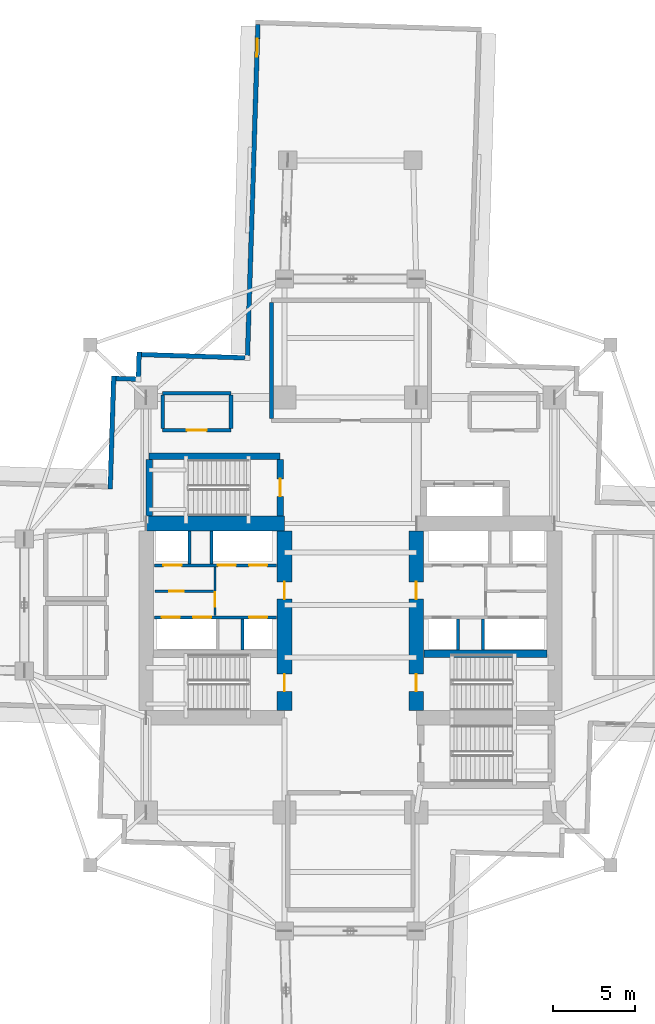
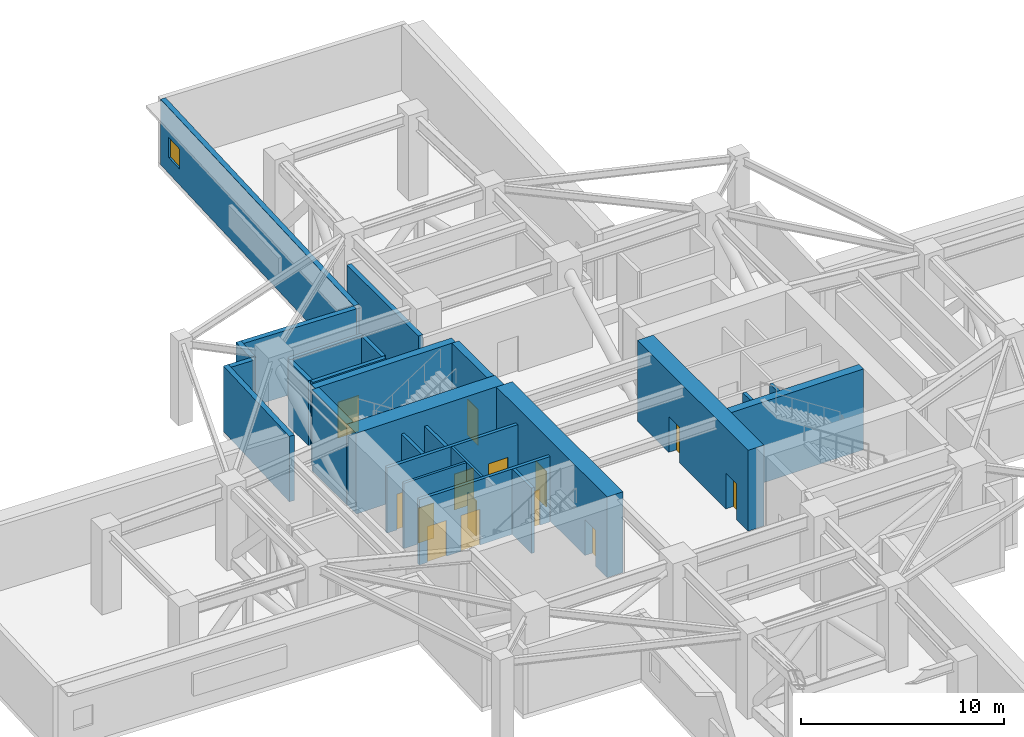
# One storey, part 10 of 17: 26 walls, 14 doors, 1 window, 15 openings.
"""IFC4 building model written with IfcOpenShell, lengths in metres."""

from ifc_helpers import new_model, si_unit, direction, frame, frame_2d, origin, place, context, subcontext, project, spatial, rectangle, extrude, material, layer, layer_set, type_object, element, fill, save


model = new_model("IFC4")

# Units and contexts
model_context = context("Model", 3, precision=1e-05, world=origin(), true_north=direction((0.0, 1.0)))
body_context = subcontext(model_context, "Body", "Model", "MODEL_VIEW")
ifc_project = project(units=[si_unit("LENGTHUNIT", "METRE"), si_unit("AREAUNIT", "SQUARE_METRE"), si_unit("VOLUMEUNIT", "CUBIC_METRE"), si_unit("PLANEANGLEUNIT", "RADIAN"), si_unit("MASSUNIT", "GRAM", prefix="KILO")], contexts=[model_context])

# Site, building, storey
site_placement = place(None, origin())
site = spatial("IfcSite", under=ifc_project, at=site_placement, CompositionType="ELEMENT")
building_placement = place(site_placement, origin())
building = spatial("IfcBuilding", under=site, at=building_placement, Name="Qingluan Cross Belvedere", CompositionType="ELEMENT")
storey_placement = place(building_placement, frame((0.0, 0.0, 95.10009765625)))
storey = spatial("IfcBuildingStorey", under=building, at=storey_placement, Name="L24", CompositionType="ELEMENT", Elevation=95.10009765625)

# Walls
ifc_material_1 = material(Name="Concrete C50", Category="concrete")
ifc_layer_1 = layer(ifc_material_1, 0.449951171875, Name="CoreShearWall_450")
ifc_layer_set_1 = layer_set([ifc_layer_1], Name="Concrete C50")
wall_type_1 = type_object("IfcWallType", Name="CoreShearWall_450", PredefinedType="SHEAR", material=ifc_layer_set_1)
wall_1_placement = place(storey_placement, frame((4.455078125, -2.9599609375, 0.0), z_axis=(0.0, 0.0, 1.0), x_axis=(1.0, 0.0, 0.0)))
element("IfcWall", 1, at=wall_1_placement, inside=storey, type_object=wall_type_1, Name="Split core E shear wall L24-M", PredefinedType="SHEAR", context=body_context, shape_type="SweptSolid", body=[
    extrude(rectangle(XDim=7.489990234375, YDim=0.449951171875, at=frame_2d((3.7451171875, 0.0))), origin(), (0.0, 0.0, 1.0), 4.849853515625),
])
wall_2_placement = place(storey_placement, frame((-12.219970703125, 9.0400390625, 0.0), z_axis=(0.0, 0.0, 1.0), x_axis=(1.0, 0.0, 0.0)))
element("IfcWall", 2, at=wall_2_placement, inside=storey, type_object=wall_type_1, Name="Stair ST3 structural wall N L24", PredefinedType="SHEAR", context=body_context, shape_type="SweptSolid", body=[
    extrude(rectangle(XDim=7.9599609375, YDim=0.39990234375, at=frame_2d((3.97998046875, 0.0))), origin(), (0.0, 0.0, 1.0), 4.849853515625),
])
wall_3_placement = place(storey_placement, frame((-12.219970703125, 5.405029296875, 0.0), z_axis=(0.0, 0.0, 1.0), x_axis=(0.0, 1.0, 0.0)))
element("IfcWall", 3, at=wall_3_placement, inside=storey, type_object=wall_type_1, Name="Stair ST3 structural wall W L24", PredefinedType="SHEAR", context=body_context, shape_type="SweptSolid", body=[
    extrude(rectangle(XDim=3.429931640625, YDim=0.39990234375, at=frame_2d((1.71484375, 0.0))), origin(), (0.0, 0.0, 1.0), 4.849853515625),
])

# Wall, opening, door
wall_4_placement = place(storey_placement, frame((-4.260009765625, 5.405029296875, 0.0), z_axis=(0.0, 0.0, 1.0), x_axis=(0.0, 1.0, 0.0)))
wall_4 = element("IfcWall", 4, at=wall_4_placement, inside=storey, type_object=wall_type_1, Name="Stair ST3 structural wall E L24", PredefinedType="SHEAR", context=body_context, shape_type="SweptSolid", body=[
    extrude(rectangle(XDim=3.429931640625, YDim=0.39990234375, at=frame_2d((1.71484375, 0.0))), origin(), (0.0, 0.0, 1.0), 4.849853515625),
])
opening_1_placement = place(wall_4_placement, frame((1.195068359375, 0.0, 0.0)))
opening_1 = element("IfcOpeningElement", 5, at=opening_1_placement, cuts=wall_4, Name="Opening FD-B11", PredefinedType="OPENING", context=body_context, shape_type="SweptSolid", body=[
    extrude(rectangle(XDim=1.050048828125, YDim=2.14990234375, at=frame_2d((0.52490234375, 1.074951171875))), frame((0.0, 0.2099609375, 0.0), z_axis=(0.0, -1.0, 0.0), x_axis=(1.0, 0.0, 0.0)), (0.0, 0.0, 1.0), 0.419921875),
])
ifc_material_2 = material(Name="Steel Class B smoke-seal fire door", Category="steel")
door_type_1 = type_object("IfcDoorType", Name="StairLobbyFireDoor_FDB", OperationType="NOTDEFINED", PredefinedType="DOOR", material=ifc_material_2)
door_1_placement = place(opening_1_placement, origin())
door_1 = element("IfcDoor", 6, at=door_1_placement, inside=storey, type_object=door_type_1, Name="Smoke-proof stair ST3 fire door L24", OperationType="SINGLE_SWING_RIGHT", OverallHeight=2.14990234375, OverallWidth=1.050048828125, PredefinedType="DOOR", context=body_context, shape_type="SweptSolid", body=[
    extrude(rectangle(XDim=1.050048828125, YDim=2.14990234375, at=frame_2d((0.52490234375, 1.074951171875))), frame((0.0, 0.02490234375, 0.0), z_axis=(0.0, -1.0, 0.0), x_axis=(1.0, 0.0, 0.0)), (0.0, 0.0, 1.0), 0.050048828125),
])
fill(opening_1, door_1)

# Wall
ifc_material_3 = material(Name="Concrete C70", Category="concrete")
ifc_layer_2 = layer(ifc_material_3, 0.89990234375, Name="CoreShearWall_900")
ifc_layer_set_2 = layer_set([ifc_layer_2], Name="Concrete C70")
wall_type_2 = type_object("IfcWallType", Name="CoreShearWall_900", PredefinedType="SHEAR", material=ifc_layer_set_2)
wall_5_placement = place(storey_placement, frame((-12.39990234375, 4.949951171875, 0.0), z_axis=(0.0, 0.0, 1.0), x_axis=(1.0, 0.0, 0.0)))
element("IfcWall", 7, at=wall_5_placement, inside=storey, type_object=wall_type_2, Name="Split core W shear wall L24-N", PredefinedType="SHEAR", context=body_context, shape_type="SweptSolid", body=[
    extrude(rectangle(XDim=8.39990234375, YDim=0.89990234375, at=frame_2d((4.199951171875, 0.0))), origin(), (0.0, 0.0, 1.0), 4.849853515625),
])

# Wall, openings, doors
wall_6_placement = place(storey_placement, frame((-4.0, -6.39501953125, 0.0), z_axis=(0.0, 0.0, 1.0), x_axis=(0.0, 1.0, 0.0)))
wall_6 = element("IfcWall", 8, at=wall_6_placement, inside=storey, type_object=wall_type_2, Name="Split core W shear wall L24-E", PredefinedType="SHEAR", context=body_context, shape_type="SweptSolid", body=[
    extrude(rectangle(XDim=10.89013671875, YDim=0.89990234375, at=frame_2d((5.445068359375, 0.0))), origin(), (0.0, 0.0, 1.0), 4.849853515625),
])
opening_2_placement = place(wall_6_placement, frame((1.14501953125, 0.0, 0.0)))
opening_2 = element("IfcOpeningElement", 9, at=opening_2_placement, cuts=wall_6, Name="Opening FD-B11", PredefinedType="OPENING", context=body_context, shape_type="SweptSolid", body=[
    extrude(rectangle(XDim=1.050048828125, YDim=2.14990234375, at=frame_2d((0.52490234375, 1.074951171875))), frame((0.0, 0.4599609375, 0.0), z_axis=(0.0, -1.0, 0.0), x_axis=(1.0, 0.0, 0.0)), (0.0, 0.0, 1.0), 0.919921875),
])
opening_3_placement = place(wall_6_placement, frame((6.7451171875, 0.0, 0.0)))
opening_3 = element("IfcOpeningElement", 10, at=opening_3_placement, cuts=wall_6, Name="Opening FD-B11", PredefinedType="OPENING", context=body_context, shape_type="SweptSolid", body=[
    extrude(rectangle(XDim=1.050048828125, YDim=2.14990234375, at=frame_2d((0.52490234375, 1.074951171875))), frame((0.0, 0.4599609375, 0.0), z_axis=(0.0, -1.0, 0.0), x_axis=(1.0, 0.0, 0.0)), (0.0, 0.0, 1.0), 0.919921875),
])
door_2_placement = place(opening_2_placement, origin())
door_2 = element("IfcDoor", 11, at=door_2_placement, inside=storey, type_object=door_type_1, Name="Smoke-proof stair ST1 fire door L24", OperationType="SINGLE_SWING_RIGHT", OverallHeight=2.14990234375, OverallWidth=1.050048828125, PredefinedType="DOOR", context=body_context, shape_type="SweptSolid", body=[
    extrude(rectangle(XDim=1.050048828125, YDim=2.14990234375, at=frame_2d((0.52490234375, 1.074951171875))), frame((0.0, 0.02490234375, 0.0), z_axis=(0.0, -1.0, 0.0), x_axis=(1.0, 0.0, 0.0)), (0.0, 0.0, 1.0), 0.050048828125),
])
fill(opening_2, door_2)
door_3_placement = place(opening_3_placement, origin())
door_3 = element("IfcDoor", 12, at=door_3_placement, inside=storey, type_object=door_type_1, Name="Firefighting lobby West fire door L24", OperationType="SINGLE_SWING_RIGHT", OverallHeight=2.14990234375, OverallWidth=1.050048828125, PredefinedType="DOOR", context=body_context, shape_type="SweptSolid", body=[
    extrude(rectangle(XDim=1.050048828125, YDim=2.14990234375, at=frame_2d((0.52490234375, 1.074951171875))), frame((0.0, 0.02490234375, 0.0), z_axis=(0.0, -1.0, 0.0), x_axis=(1.0, 0.0, 0.0)), (0.0, 0.0, 1.0), 0.050048828125),
])
fill(opening_3, door_3)

wall_7_placement = place(storey_placement, frame((4.0, -6.39501953125, 0.0), z_axis=(0.0, 0.0, 1.0), x_axis=(0.0, 1.0, 0.0)))
wall_7 = element("IfcWall", 13, at=wall_7_placement, inside=storey, type_object=wall_type_2, Name="Split core E shear wall L24-W", PredefinedType="SHEAR", context=body_context, shape_type="SweptSolid", body=[
    extrude(rectangle(XDim=10.89013671875, YDim=0.89990234375, at=frame_2d((5.445068359375, 0.0))), origin(), (0.0, 0.0, 1.0), 4.849853515625),
])
opening_4_placement = place(wall_7_placement, frame((1.14501953125, 0.0, 0.0)))
opening_4 = element("IfcOpeningElement", 14, at=opening_4_placement, cuts=wall_7, Name="Opening FD-B11", PredefinedType="OPENING", context=body_context, shape_type="SweptSolid", body=[
    extrude(rectangle(XDim=1.050048828125, YDim=2.14990234375, at=frame_2d((0.52490234375, 1.074951171875))), frame((0.0, 0.4599609375, 0.0), z_axis=(0.0, -1.0, 0.0), x_axis=(1.0, 0.0, 0.0)), (0.0, 0.0, 1.0), 0.919921875),
])
opening_5_placement = place(wall_7_placement, frame((6.7451171875, 0.0, 0.0)))
opening_5 = element("IfcOpeningElement", 15, at=opening_5_placement, cuts=wall_7, Name="Opening FD-B11", PredefinedType="OPENING", context=body_context, shape_type="SweptSolid", body=[
    extrude(rectangle(XDim=1.050048828125, YDim=2.14990234375, at=frame_2d((0.52490234375, 1.074951171875))), frame((0.0, 0.4599609375, 0.0), z_axis=(0.0, -1.0, 0.0), x_axis=(1.0, 0.0, 0.0)), (0.0, 0.0, 1.0), 0.919921875),
])
door_4_placement = place(opening_4_placement, origin())
door_4 = element("IfcDoor", 16, at=door_4_placement, inside=storey, type_object=door_type_1, Name="Smoke-proof stair ST2 fire door L24", OperationType="SINGLE_SWING_LEFT", OverallHeight=2.14990234375, OverallWidth=1.050048828125, PredefinedType="DOOR", context=body_context, shape_type="SweptSolid", body=[
    extrude(rectangle(XDim=1.050048828125, YDim=2.14990234375, at=frame_2d((0.52490234375, 1.074951171875))), frame((0.0, 0.02490234375, 0.0), z_axis=(0.0, -1.0, 0.0), x_axis=(1.0, 0.0, 0.0)), (0.0, 0.0, 1.0), 0.050048828125),
])
fill(opening_4, door_4)
door_5_placement = place(opening_5_placement, origin())
door_5 = element("IfcDoor", 17, at=door_5_placement, inside=storey, type_object=door_type_1, Name="Firefighting lobby East fire door L24", OperationType="SINGLE_SWING_LEFT", OverallHeight=2.14990234375, OverallWidth=1.050048828125, PredefinedType="DOOR", context=body_context, shape_type="SweptSolid", body=[
    extrude(rectangle(XDim=1.050048828125, YDim=2.14990234375, at=frame_2d((0.52490234375, 1.074951171875))), frame((0.0, 0.02490234375, 0.0), z_axis=(0.0, -1.0, 0.0), x_axis=(1.0, 0.0, 0.0)), (0.0, 0.0, 1.0), 0.050048828125),
])
fill(opening_5, door_5)

# Wall, opening, door
ifc_material_4 = material(Name="Gypsum plasterboard on steel stud acoustic partition", Category="steel")
ifc_layer_3 = layer(ifc_material_4, 0.159912109375, Name="CorridorPartition_160")
ifc_layer_set_3 = layer_set([ifc_layer_3], Name="Gypsum plasterboard on steel stud acoustic partition")
wall_type_3 = type_object("IfcWallType", Name="CorridorPartition_160", PredefinedType="PARTITIONING", material=ifc_layer_set_3)
wall_8_placement = place(storey_placement, frame((-11.85009765625, 0.830078125, 0.0), z_axis=(0.0, 0.0, 1.0), x_axis=(1.0, 0.0, 0.0)))
wall_8 = element("IfcWall", 18, at=wall_8_placement, inside=storey, type_object=wall_type_3, Name="Partition L24:w", PredefinedType="PARTITIONING", context=body_context, shape_type="SweptSolid", body=[
    extrude(rectangle(XDim=3.552001953125, YDim=0.139892578125, at=frame_2d((1.77587890625, 0.0))), origin(), (0.0, 0.0, 1.0), 3.919921875),
])
opening_6_placement = place(wall_8_placement, frame((0.85009765625, 0.0, 0.0)))
opening_6 = element("IfcOpeningElement", 19, at=opening_6_placement, cuts=wall_8, Name="Opening FD-B10", PredefinedType="OPENING", context=body_context, shape_type="SweptSolid", body=[
    extrude(rectangle(XDim=0.8798828125, YDim=2.10009765625, at=frame_2d((0.43994140625, 1.050048828125))), frame((0.0, 0.079833984375, 0.0), z_axis=(0.0, -1.0, 0.0), x_axis=(1.0, 0.0, 0.0)), (0.0, 0.0, 1.0), 0.159912109375),
])
ifc_material_5 = material(Name="Steel Class B service fire door", Category="steel")
door_type_2 = type_object("IfcDoorType", Name="RiserServiceFireDoor_FDB", OperationType="NOTDEFINED", PredefinedType="DOOR", material=ifc_material_5)
door_6_placement = place(opening_6_placement, origin())
door_6 = element("IfcDoor", 20, at=door_6_placement, inside=storey, type_object=door_type_2, Name="Service closet inner door L24", OperationType="SINGLE_SWING_RIGHT", OverallHeight=2.10009765625, OverallWidth=0.8798828125, PredefinedType="DOOR", context=body_context, shape_type="SweptSolid", body=[
    extrude(rectangle(XDim=0.8798828125, YDim=2.10009765625, at=frame_2d((0.43994140625, 1.050048828125))), frame((0.0, 0.02490234375, 0.0), z_axis=(0.0, -1.0, 0.0), x_axis=(1.0, 0.0, 0.0)), (0.0, 0.0, 1.0), 0.050048828125),
])
fill(opening_6, door_6)

wall_9_placement = place(storey_placement, frame((-11.39990234375, 10.60009765625, 0.0), z_axis=(0.0, 0.0, 1.0), x_axis=(1.0, 0.0, 0.0)))
wall_9 = element("IfcWall", 21, at=wall_9_placement, inside=storey, type_object=wall_type_3, Name="Partition L24:refuge_nw:S", PredefinedType="PARTITIONING", context=body_context, shape_type="SweptSolid", body=[
    extrude(rectangle(XDim=4.14990234375, YDim=0.219970703125, at=frame_2d((2.074951171875, 0.0))), origin(), (0.0, 0.0, 1.0), 3.919921875),
])
opening_7_placement = place(wall_9_placement, frame((1.47509765625, 0.0, 0.0)))
opening_7 = element("IfcOpeningElement", 22, at=opening_7_placement, cuts=wall_9, Name="Opening FD-A12", PredefinedType="OPENING", context=body_context, shape_type="SweptSolid", body=[
    extrude(rectangle(XDim=1.199951171875, YDim=2.14990234375, at=frame_2d((0.60009765625, 1.074951171875))), frame((0.0, 0.119873046875, 0.0), z_axis=(0.0, -1.0, 0.0), x_axis=(1.0, 0.0, 0.0)), (0.0, 0.0, 1.0), 0.239990234375),
])
ifc_material_6 = material(Name="Insulated steel Class A fire door", Category="steel")
door_type_3 = type_object("IfcDoorType", Name="RefugeCompartmentDoor_FDA", OperationType="NOTDEFINED", PredefinedType="DOOR", material=ifc_material_6)
door_7_placement = place(opening_7_placement, origin())
door_7 = element("IfcDoor", 23, at=door_7_placement, inside=storey, type_object=door_type_3, Name="Fire refuge bay Northwest L24 door", OperationType="SINGLE_SWING_RIGHT", OverallHeight=2.14990234375, OverallWidth=1.199951171875, PredefinedType="DOOR", context=body_context, shape_type="SweptSolid", body=[
    extrude(rectangle(XDim=1.199951171875, YDim=2.14990234375, at=frame_2d((0.60009765625, 1.074951171875))), frame((0.0, 0.02490234375, 0.0), z_axis=(0.0, -1.0, 0.0), x_axis=(1.0, 0.0, 0.0)), (0.0, 0.0, 1.0), 0.050048828125),
])
fill(opening_7, door_7)

# Walls
wall_10_placement = place(storey_placement, frame((-11.39990234375, 12.85009765625, 0.0), z_axis=(0.0, 0.0, 1.0), x_axis=(1.0, 0.0, 0.0)))
element("IfcWall", 24, at=wall_10_placement, inside=storey, type_object=wall_type_3, Name="Partition L24:refuge_nw:N", PredefinedType="PARTITIONING", context=body_context, shape_type="SweptSolid", body=[
    extrude(rectangle(XDim=4.14990234375, YDim=0.219970703125, at=frame_2d((2.074951171875, 0.0))), origin(), (0.0, 0.0, 1.0), 3.919921875),
])
for number, where, z_axis, x_axis, name in (
    (25, (-11.39990234375, 10.715087890625, 0.0), (0.0, 0.0, 1.0), (0.0, 1.0, 0.0), "Partition L24:refuge_nw:W"),
    (26, (-7.25, 10.715087890625, 0.0), (0.0, 0.0, 1.0), (0.0, 1.0, 0.0), "Partition L24:refuge_nw:E"),
):
    element("IfcWall", number, at=place(storey_placement, frame(where, z_axis=z_axis, x_axis=x_axis)), inside=storey, type_object=wall_type_3, Name=name, PredefinedType="PARTITIONING", context=body_context, shape_type="SweptSolid", body=[
        extrude(rectangle(XDim=2.02001953125, YDim=0.219970703125, at=frame_2d((1.010009765625, 0.0))), origin(), (0.0, 0.0, 1.0), 3.919921875),
    ])
ifc_material_7 = material(Name="Concrete C40", Category="concrete")
ifc_layer_4 = layer(ifc_material_7, 0.300048828125, Name="FireCompartmentWall_300")
ifc_layer_set_4 = layer_set([ifc_layer_4], Name="Concrete C40")
wall_type_4 = type_object("IfcWallType", Name="FireCompartmentWall_300", PredefinedType="SOLIDWALL", material=ifc_layer_set_4)
wall_11_placement = place(storey_placement, frame((-4.800048828125, 11.330078125, 0.0), z_axis=(0.0, 0.0, 1.0), x_axis=(0.0, 1.0, 0.0)))
element("IfcWall", 27, at=wall_11_placement, inside=storey, type_object=wall_type_4, Name="Partition L24:refuge_n:W", PredefinedType="SOLIDWALL", context=body_context, shape_type="SweptSolid", body=[
    extrude(rectangle(XDim=7.0400390625, YDim=0.25, at=frame_2d((3.52001953125, 0.0))), origin(), (0.0, 0.0, 1.0), 3.919921875),
])

# Wall, opening, window
ifc_material_8 = material(Name="Precast concrete C45", Category="concrete")
ifc_layer_5 = layer(ifc_material_8, 0.280029296875, Name="PrecastFacadeWall_280")
ifc_layer_set_5 = layer_set([ifc_layer_5], Name="Precast concrete C45")
wall_type_5 = type_object("IfcWallType", Name="PrecastFacadeWall_280", PredefinedType="STANDARD", material=ifc_layer_set_5)
wall_12_placement = place(storey_placement, frame((-5.6162109375, 35.23388671875, 0.0), z_axis=(0.0, 0.0, 1.0), x_axis=(-0.031398187845, -0.999506955354, 0.0)))
wall_12 = element("IfcWall", 28, at=wall_12_placement, inside=storey, type_object=wall_type_5, Name="Facade wall L24-NB", PredefinedType="STANDARD", context=body_context, shape_type="SweptSolid", body=[
    extrude(rectangle(XDim=20.10009765625, YDim=0.280029296875, at=frame_2d((10.050048828125, 0.0))), origin(), (0.0, 0.0, 1.0), 3.929931640625),
])
opening_8_placement = place(wall_12_placement, frame((0.85009765625, 0.0, 0.949951171875)))
opening_8 = element("IfcOpeningElement", 29, at=opening_8_placement, cuts=wall_12, Name="Opening W-07", PredefinedType="OPENING", context=body_context, shape_type="SweptSolid", body=[
    extrude(rectangle(XDim=1.10009765625, YDim=1.199951171875, at=frame_2d((0.550048828125, 0.60009765625))), frame((0.0, 0.14990234375, 0.0), z_axis=(0.0, -1.0, 0.0), x_axis=(1.0, 0.0, 0.0)), (0.0, 0.0, 1.0), 0.300048828125),
])
ifc_material_9 = material(Name="Thermally broken triple Low-E glass in aluminium frame", Category="aluminium")
window_type = type_object("IfcWindowType", Name="RefugeSmokeWin_1100x1200", PartitioningType="SINGLE_PANEL", PredefinedType="WINDOW", material=ifc_material_9)
window_placement = place(opening_8_placement, origin())
window = element("IfcWindow", 30, at=window_placement, inside=storey, type_object=window_type, Name="Refuge operable smoke window L24-NB", OverallHeight=1.199951171875, OverallWidth=1.10009765625, PartitioningType="SINGLE_PANEL", PredefinedType="WINDOW", context=body_context, shape_type="SweptSolid", body=[
    extrude(rectangle(XDim=1.10009765625, YDim=1.199951171875, at=frame_2d((0.550048828125, 0.60009765625))), frame((0.0, 0.030029296875, 0.0), z_axis=(0.0, -1.0, 0.0), x_axis=(1.0, 0.0, 0.0)), (0.0, 0.0, 1.0), 0.06005859375),
])
fill(opening_8, window)

# Walls
wall_13_placement = place(storey_placement, frame((-14.5859375, 7.04150390625, 0.0), z_axis=(0.0, 0.0, 1.0), x_axis=(0.031389189386, 0.999507237988, 0.0)))
element("IfcWall", 31, at=wall_13_placement, inside=storey, type_object=wall_type_5, Name="Corner wall L24-NW1", PredefinedType="STANDARD", context=body_context, shape_type="SweptSolid", body=[
    extrude(rectangle(XDim=6.860107421875, YDim=0.280029296875, at=frame_2d((3.43017578125, 0.0))), origin(), (0.0, 0.0, 1.0), 3.929931640625),
])
wall_14_placement = place(storey_placement, frame((-14.235107421875, 13.75390625, 0.0), z_axis=(0.0, 0.0, 1.0), x_axis=(0.999506398264, -0.031415916822, 0.0)))
element("IfcWall", 32, at=wall_14_placement, inside=storey, type_object=wall_type_5, Name="Corner wall L24-NW2", PredefinedType="STANDARD", context=body_context, shape_type="SweptSolid", body=[
    extrude(rectangle(XDim=1.219970703125, YDim=0.280029296875, at=frame_2d((0.60986328125, 0.0))), origin(), (0.0, 0.0, 1.0), 3.929931640625),
])
wall_15_placement = place(storey_placement, frame((-12.871337890625, 13.85107421875, 0.0), z_axis=(0.0, 0.0, 1.0), x_axis=(0.031412596484, 0.999506502621, 0.0)))
element("IfcWall", 33, at=wall_15_placement, inside=storey, type_object=wall_type_5, Name="Corner wall L24-NW3", PredefinedType="STANDARD", context=body_context, shape_type="SweptSolid", body=[
    extrude(rectangle(XDim=1.5, YDim=0.280029296875, at=frame_2d((0.75, 0.0))), origin(), (0.0, 0.0, 1.0), 3.929931640625),
])
wall_16_placement = place(storey_placement, frame((-12.688720703125, 15.2060546875, 0.0), z_axis=(0.0, 0.0, 1.0), x_axis=(0.999507262922, -0.031388395416, 0.0)))
element("IfcWall", 34, at=wall_16_placement, inside=storey, type_object=wall_type_5, Name="Corner wall L24-NW4", PredefinedType="STANDARD", context=body_context, shape_type="SweptSolid", body=[
    extrude(rectangle(XDim=6.30029296875, YDim=0.280029296875, at=frame_2d((3.150146484375, 0.0))), origin(), (0.0, 0.0, 1.0), 3.929931640625),
])

# Wall, openings, doors
ifc_material_10 = material(Name="Concrete C40", Category="concrete")
ifc_layer_6 = layer(ifc_material_10, 0.219970703125, Name="ShaftEnclosureWall_250")
ifc_layer_set_6 = layer_set([ifc_layer_6], Name="Concrete C40")
wall_type_6 = type_object("IfcWallType", Name="ShaftEnclosureWall_250", PredefinedType="SOLIDWALL", material=ifc_layer_set_6)
wall_17_placement = place(storey_placement, frame((-11.89990234375, 2.409912109375, 0.0), z_axis=(0.0, 0.0, 1.0), x_axis=(1.0, 0.0, 0.0)))
wall_17 = element("IfcWall", 35, at=wall_17_placement, inside=storey, type_object=wall_type_6, Name="Core-W north hoistway wall L24", PredefinedType="SOLIDWALL", context=body_context, shape_type="SweptSolid", body=[
    extrude(rectangle(XDim=7.419921875, YDim=0.179931640625, at=frame_2d((3.7099609375, 0.0))), origin(), (0.0, 0.0, 1.0), 3.919921875),
])
opening_9_placement = place(wall_17_placement, frame((0.550048828125, 0.0, 0.0)))
opening_9 = element("IfcOpeningElement", 36, at=opening_9_placement, cuts=wall_17, Name="Opening LD-11", PredefinedType="OPENING", context=body_context, shape_type="SweptSolid", body=[
    extrude(rectangle(XDim=1.10009765625, YDim=2.14990234375, at=frame_2d((0.550048828125, 1.074951171875))), frame((0.0, 0.099853515625, 0.0), z_axis=(0.0, -1.0, 0.0), x_axis=(1.0, 0.0, 0.0)), (0.0, 0.0, 1.0), 0.199951171875),
])
opening_10_placement = place(wall_17_placement, frame((3.85009765625, 0.0, 0.0)))
opening_10 = element("IfcOpeningElement", 37, at=opening_10_placement, cuts=wall_17, Name="Opening LD-11", PredefinedType="OPENING", context=body_context, shape_type="SweptSolid", body=[
    extrude(rectangle(XDim=1.10009765625, YDim=2.14990234375, at=frame_2d((0.550048828125, 1.074951171875))), frame((0.0, 0.099853515625, 0.0), z_axis=(0.0, -1.0, 0.0), x_axis=(1.0, 0.0, 0.0)), (0.0, 0.0, 1.0), 0.199951171875),
])
opening_11_placement = place(wall_17_placement, frame((5.75, 0.0, 0.0)))
opening_11 = element("IfcOpeningElement", 38, at=opening_11_placement, cuts=wall_17, Name="Opening LD-11", PredefinedType="OPENING", context=body_context, shape_type="SweptSolid", body=[
    extrude(rectangle(XDim=1.10009765625, YDim=2.14990234375, at=frame_2d((0.550048828125, 1.074951171875))), frame((0.0, 0.099853515625, 0.0), z_axis=(0.0, -1.0, 0.0), x_axis=(1.0, 0.0, 0.0)), (0.0, 0.0, 1.0), 0.199951171875),
])
ifc_material_11 = material(Name="Brushed stainless steel centre-opening lift landing door", Category="steel")
door_type_4 = type_object("IfcDoorType", Name="LiftLandingSlidingDoor_1100", OperationType="DOUBLE_DOOR_SLIDING", PredefinedType="DOOR", material=ifc_material_11)
door_8_placement = place(opening_9_placement, origin())
door_8 = element("IfcDoor", 39, at=door_8_placement, inside=storey, type_object=door_type_4, Name="Lift landing sliding door FL1 L24", OperationType="DOUBLE_DOOR_SLIDING", OverallHeight=2.14990234375, OverallWidth=1.10009765625, PredefinedType="DOOR", context=body_context, shape_type="SweptSolid", body=[
    extrude(rectangle(XDim=1.10009765625, YDim=2.14990234375, at=frame_2d((0.550048828125, 1.074951171875))), frame((0.0, 0.02490234375, 0.0), z_axis=(0.0, -1.0, 0.0), x_axis=(1.0, 0.0, 0.0)), (0.0, 0.0, 1.0), 0.050048828125),
])
fill(opening_9, door_8)
door_9_placement = place(opening_10_placement, origin())
door_9 = element("IfcDoor", 40, at=door_9_placement, inside=storey, type_object=door_type_4, Name="Lift landing sliding door LP1 L24", OperationType="DOUBLE_DOOR_SLIDING", OverallHeight=2.14990234375, OverallWidth=1.10009765625, PredefinedType="DOOR", context=body_context, shape_type="SweptSolid", body=[
    extrude(rectangle(XDim=1.10009765625, YDim=2.14990234375, at=frame_2d((0.550048828125, 1.074951171875))), frame((0.0, 0.02490234375, 0.0), z_axis=(0.0, -1.0, 0.0), x_axis=(1.0, 0.0, 0.0)), (0.0, 0.0, 1.0), 0.050048828125),
])
fill(opening_10, door_9)
door_10_placement = place(opening_11_placement, origin())
door_10 = element("IfcDoor", 41, at=door_10_placement, inside=storey, type_object=door_type_4, Name="Lift landing sliding door LP2 L24", OperationType="DOUBLE_DOOR_SLIDING", OverallHeight=2.14990234375, OverallWidth=1.10009765625, PredefinedType="DOOR", context=body_context, shape_type="SweptSolid", body=[
    extrude(rectangle(XDim=1.10009765625, YDim=2.14990234375, at=frame_2d((0.550048828125, 1.074951171875))), frame((0.0, 0.02490234375, 0.0), z_axis=(0.0, -1.0, 0.0), x_axis=(1.0, 0.0, 0.0)), (0.0, 0.0, 1.0), 0.050048828125),
])
fill(opening_11, door_10)

wall_18_placement = place(storey_placement, frame((-11.89990234375, -0.75, 0.0), z_axis=(0.0, 0.0, 1.0), x_axis=(1.0, 0.0, 0.0)))
wall_18 = element("IfcWall", 42, at=wall_18_placement, inside=storey, type_object=wall_type_6, Name="Core-W mid hoistway wall L24", PredefinedType="SOLIDWALL", context=body_context, shape_type="SweptSolid", body=[
    extrude(rectangle(XDim=7.419921875, YDim=0.179931640625, at=frame_2d((3.7099609375, 0.0))), origin(), (0.0, 0.0, 1.0), 3.919921875),
])
opening_12_placement = place(wall_18_placement, frame((0.449951171875, 0.0, 0.0)))
opening_12 = element("IfcOpeningElement", 43, at=opening_12_placement, cuts=wall_18, Name="Opening LD-11", PredefinedType="OPENING", context=body_context, shape_type="SweptSolid", body=[
    extrude(rectangle(XDim=1.10009765625, YDim=2.14990234375, at=frame_2d((0.550048828125, 1.074951171875))), frame((0.0, 0.099853515625, 0.0), z_axis=(0.0, -1.0, 0.0), x_axis=(1.0, 0.0, 0.0)), (0.0, 0.0, 1.0), 0.199951171875),
])
opening_13_placement = place(wall_18_placement, frame((2.35009765625, 0.0, 0.0)))
opening_13 = element("IfcOpeningElement", 44, at=opening_13_placement, cuts=wall_18, Name="Opening LD-11", PredefinedType="OPENING", context=body_context, shape_type="SweptSolid", body=[
    extrude(rectangle(XDim=1.10009765625, YDim=2.14990234375, at=frame_2d((0.550048828125, 1.074951171875))), frame((0.0, 0.099853515625, 0.0), z_axis=(0.0, -1.0, 0.0), x_axis=(1.0, 0.0, 0.0)), (0.0, 0.0, 1.0), 0.199951171875),
])
opening_14_placement = place(wall_18_placement, frame((5.75, 0.0, 0.0)))
opening_14 = element("IfcOpeningElement", 45, at=opening_14_placement, cuts=wall_18, Name="Opening LD-11", PredefinedType="OPENING", context=body_context, shape_type="SweptSolid", body=[
    extrude(rectangle(XDim=1.10009765625, YDim=2.14990234375, at=frame_2d((0.550048828125, 1.074951171875))), frame((0.0, 0.099853515625, 0.0), z_axis=(0.0, -1.0, 0.0), x_axis=(1.0, 0.0, 0.0)), (0.0, 0.0, 1.0), 0.199951171875),
])
door_11_placement = place(opening_12_placement, origin())
door_11 = element("IfcDoor", 46, at=door_11_placement, inside=storey, type_object=door_type_4, Name="Lift landing sliding door LP5 L24", OperationType="DOUBLE_DOOR_SLIDING", OverallHeight=2.14990234375, OverallWidth=1.10009765625, PredefinedType="DOOR", context=body_context, shape_type="SweptSolid", body=[
    extrude(rectangle(XDim=1.10009765625, YDim=2.14990234375, at=frame_2d((0.550048828125, 1.074951171875))), frame((0.0, 0.02490234375, 0.0), z_axis=(0.0, -1.0, 0.0), x_axis=(1.0, 0.0, 0.0)), (0.0, 0.0, 1.0), 0.050048828125),
])
fill(opening_12, door_11)
door_12_placement = place(opening_13_placement, origin())
door_12 = element("IfcDoor", 47, at=door_12_placement, inside=storey, type_object=door_type_4, Name="Lift landing sliding door LP6 L24", OperationType="DOUBLE_DOOR_SLIDING", OverallHeight=2.14990234375, OverallWidth=1.10009765625, PredefinedType="DOOR", context=body_context, shape_type="SweptSolid", body=[
    extrude(rectangle(XDim=1.10009765625, YDim=2.14990234375, at=frame_2d((0.550048828125, 1.074951171875))), frame((0.0, 0.02490234375, 0.0), z_axis=(0.0, -1.0, 0.0), x_axis=(1.0, 0.0, 0.0)), (0.0, 0.0, 1.0), 0.050048828125),
])
fill(opening_13, door_12)
door_13_placement = place(opening_14_placement, origin())
door_13 = element("IfcDoor", 48, at=door_13_placement, inside=storey, type_object=door_type_4, Name="Lift landing sliding door LP8 L24", OperationType="DOUBLE_DOOR_SLIDING", OverallHeight=2.14990234375, OverallWidth=1.10009765625, PredefinedType="DOOR", context=body_context, shape_type="SweptSolid", body=[
    extrude(rectangle(XDim=1.10009765625, YDim=2.14990234375, at=frame_2d((0.550048828125, 1.074951171875))), frame((0.0, 0.02490234375, 0.0), z_axis=(0.0, -1.0, 0.0), x_axis=(1.0, 0.0, 0.0)), (0.0, 0.0, 1.0), 0.050048828125),
])
fill(opening_14, door_13)

# Walls
for number, where, z_axis, x_axis, name in (
    (49, (-9.760009765625, 2.5, 0.0), (0.0, 0.0, 1.0), (0.0, 1.0, 0.0), "Hoistway enclosure divider FL1E L24"),
    (50, (-8.43994140625, 2.5, 0.0), (0.0, 0.0, 1.0), (0.0, 1.0, 0.0), "Hoistway enclosure divider LP1W L24"),
):
    element("IfcWall", number, at=place(storey_placement, frame(where, z_axis=z_axis, x_axis=x_axis)), inside=storey, type_object=wall_type_6, Name=name, PredefinedType="SOLIDWALL", context=body_context, shape_type="SweptSolid", body=[
        extrude(rectangle(XDim=1.989990234375, YDim=0.179931640625, at=frame_2d((0.9951171875, 0.0))), origin(), (0.0, 0.0, 1.0), 3.919921875),
    ])
for number, where, z_axis, x_axis, name in (
    (51, (-6.5400390625, -2.72998046875, 0.0), (0.0, 0.0, 1.0), (0.0, 1.0, 0.0), "Hoistway enclosure divider LP8W L24"),
    (52, (6.5400390625, -2.72998046875, 0.0), (0.0, 0.0, 1.0), (0.0, 1.0, 0.0), "Hoistway enclosure divider LP7E L24"),
    (53, (8.06005859375, -2.72998046875, 0.0), (0.0, 0.0, 1.0), (0.0, 1.0, 0.0), "Hoistway enclosure divider LP9W L24"),
):
    element("IfcWall", number, at=place(storey_placement, frame(where, z_axis=z_axis, x_axis=x_axis)), inside=storey, type_object=wall_type_6, Name=name, PredefinedType="SOLIDWALL", context=body_context, shape_type="SweptSolid", body=[
        extrude(rectangle(XDim=1.889892578125, YDim=0.179931640625, at=frame_2d((0.94482421875, 0.0))), origin(), (0.0, 0.0, 1.0), 3.919921875),
    ])

# Wall, opening, door
wall_19_placement = place(storey_placement, frame((-8.219970703125, -0.64990234375, 0.0), z_axis=(0.0, 0.0, 1.0), x_axis=(0.0, 1.0, 0.0)))
wall_19 = element("IfcWall", 54, at=wall_19_placement, inside=storey, type_object=wall_type_6, Name="Core-W service corridor wall L24", PredefinedType="SOLIDWALL", context=body_context, shape_type="SweptSolid", body=[
    extrude(rectangle(XDim=2.9599609375, YDim=0.139892578125, at=frame_2d((1.47998046875, 0.0))), origin(), (0.0, 0.0, 1.0), 3.919921875),
])
opening_15_placement = place(wall_19_placement, frame((0.550048828125, 0.0, 0.0)))
opening_15 = element("IfcOpeningElement", 55, at=opening_15_placement, cuts=wall_19, Name="Opening FD-B10", PredefinedType="OPENING", context=body_context, shape_type="SweptSolid", body=[
    extrude(rectangle(XDim=0.8798828125, YDim=2.10009765625, at=frame_2d((0.43994140625, 1.050048828125))), frame((0.0, 0.079833984375, 0.0), z_axis=(0.0, -1.0, 0.0), x_axis=(1.0, 0.0, 0.0)), (0.0, 0.0, 1.0), 0.159912109375),
])
door_14_placement = place(opening_15_placement, origin())
door_14 = element("IfcDoor", 56, at=door_14_placement, inside=storey, type_object=door_type_2, Name="Core-W service room door L24", OperationType="SINGLE_SWING_RIGHT", OverallHeight=2.10009765625, OverallWidth=0.8798828125, PredefinedType="DOOR", context=body_context, shape_type="SweptSolid", body=[
    extrude(rectangle(XDim=0.8798828125, YDim=2.10009765625, at=frame_2d((0.43994140625, 1.050048828125))), frame((0.0, 0.02490234375, 0.0), z_axis=(0.0, -1.0, 0.0), x_axis=(1.0, 0.0, 0.0)), (0.0, 0.0, 1.0), 0.050048828125),
])
fill(opening_15, door_14)

save(model, "model.ifc")
